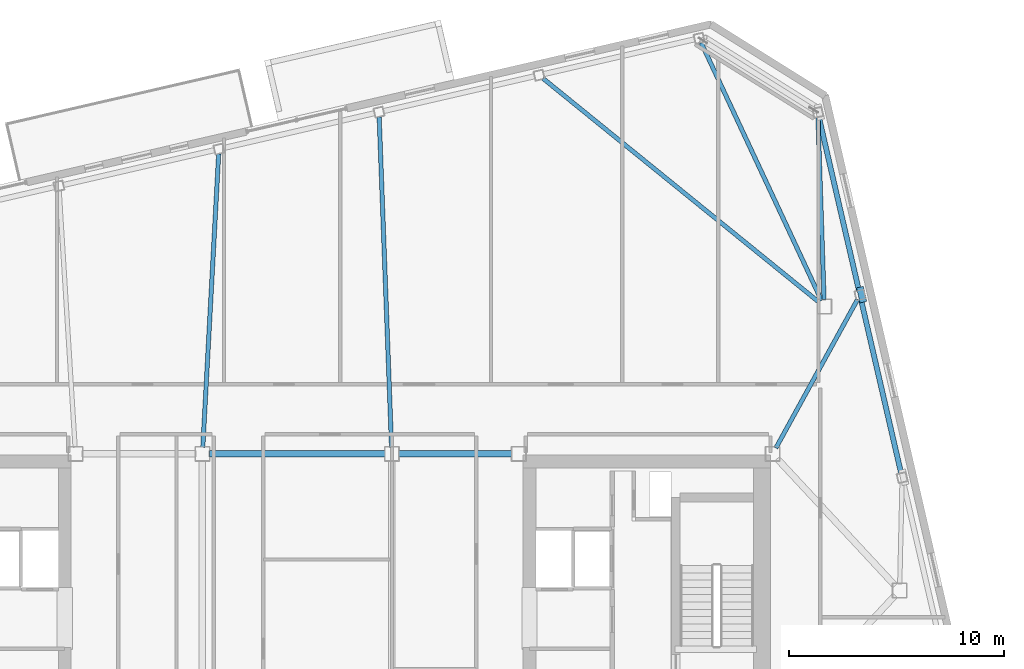
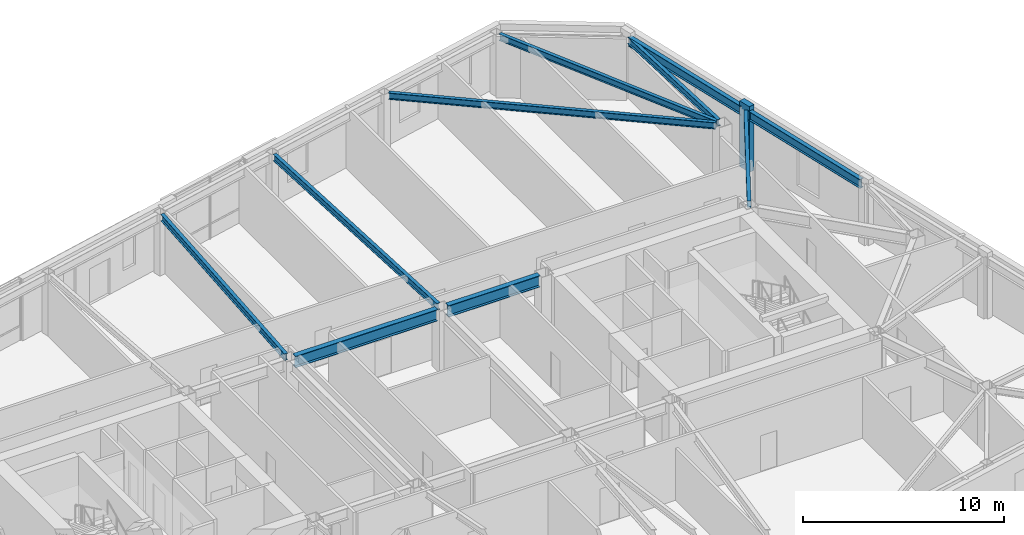
# One storey, part 13 of 24: 10 beams, 1 member.
"""IFC4 building model written with IfcOpenShell, lengths in metres."""

import ifcopenshell
import ifcopenshell.guid

model = None  # the IFC model being written
_history = None  # IfcOwnerHistory: only IFC2X3 demands one
_inside = {}  # id of a spatial element -> (the spatial element, [elements in it])
_under = {}  # id of a project, library or spatial element -> (it, [spatial elements below it])
_declared = {}  # id of a project -> (the project, [libraries it declares])
_typed = {}  # id of a type object -> (the type object, [elements of that type])
_made_of = {}  # id of a material, layer set ... -> (it, [elements and type objects made of it])


def new_model(schema):
    """Start an empty IFC model of exactly this schema.

    Asked for "IFC4X3", IfcOpenShell would pick the latest addendum, in which some entities
    have other attributes; the version numbers below select the first issue.
    IFC2X3 requires an IfcOwnerHistory on every rooted entity: one is made here for all.
    """
    global model, _history
    if schema == "IFC4X3":
        model = ifcopenshell.file(schema_version=(4, 3, 0, 0))
    else:
        model = ifcopenshell.file(schema=schema)
    _inside.clear()
    _under.clear()
    _declared.clear()
    _typed.clear()
    _made_of.clear()
    _history = None
    if model.schema == "IFC2X3":
        org = make("IfcOrganization", Name="unknown")
        user = make(
            "IfcPersonAndOrganization",
            ThePerson=make("IfcPerson", FamilyName="unknown"),
            TheOrganization=org,
        )
        app = make(
            "IfcApplication",
            ApplicationDeveloper=org,
            Version="unknown",
            ApplicationFullName="unknown",
            ApplicationIdentifier="unknown",
        )
        _history = make(
            "IfcOwnerHistory",
            OwningUser=user,
            OwningApplication=app,
            ChangeAction="ADDED",
            CreationDate=0,
        )
    return model


def make(cls, **values):
    """One entity of the class cls with the attributes given. An attribute that is None is left unset."""
    return model.create_entity(
        cls, **{name: value for name, value in values.items() if value is not None}
    )


def rooted(cls, **values):
    """An entity with a GlobalId (a new one), such as an element, a storey or a relation."""
    return make(cls, GlobalId=ifcopenshell.guid.new(), OwnerHistory=_history, **values)


def si_unit(unit_type, name, prefix=None):
    """IfcSIUnit, for example si_unit("LENGTHUNIT", "METRE", prefix="MILLI")."""
    return make("IfcSIUnit", UnitType=unit_type, Prefix=prefix, Name=name)


def assignment(units):
    """IfcUnitAssignment: the units of a project."""
    return None if units is None else make("IfcUnitAssignment", Units=units)


def point(xyz):
    """IfcCartesianPoint."""
    return None if xyz is None else make("IfcCartesianPoint", Coordinates=xyz)


def direction(xyz):
    """IfcDirection."""
    return None if xyz is None else make("IfcDirection", DirectionRatios=xyz)


def frame(location, z_axis=None, x_axis=None):
    """IfcAxis2Placement3D, a coordinate frame: its origin and axes. An axis left out is left unset."""
    return make(
        "IfcAxis2Placement3D",
        Location=point(location),
        Axis=direction(z_axis),
        RefDirection=direction(x_axis),
    )


def frame_2d(location, x_axis=None):
    """IfcAxis2Placement2D, a coordinate frame in the plane: its origin and x axis."""
    return make(
        "IfcAxis2Placement2D", Location=point(location), RefDirection=direction(x_axis)
    )


def origin():
    """The frame at (0, 0, 0) with its axes left unset."""
    return frame((0.0, 0.0, 0.0))


def origin_2d():
    """The frame at (0, 0) in the plane with its x axis left unset."""
    return frame_2d((0.0, 0.0))


def place(relative_to, where):
    """IfcLocalPlacement: puts the frame where relative to a parent placement (None: the world)."""
    return make(
        "IfcLocalPlacement", PlacementRelTo=relative_to, RelativePlacement=where
    )


def context(
    kind, dimensions, precision=None, world=None, true_north=None, identifier=None
):
    """IfcGeometricRepresentationContext, for example the 3D "Model" context."""
    return make(
        "IfcGeometricRepresentationContext",
        ContextIdentifier=identifier,
        ContextType=kind,
        CoordinateSpaceDimension=dimensions,
        Precision=precision,
        WorldCoordinateSystem=world,
        TrueNorth=true_north,
    )


def subcontext(parent, identifier, kind, view, scale=None):
    """IfcGeometricRepresentationSubContext, for example "Body" below "Model"."""
    return make(
        "IfcGeometricRepresentationSubContext",
        ContextIdentifier=identifier,
        ContextType=kind,
        ParentContext=parent,
        TargetScale=scale,
        TargetView=view,
    )


def project(units=None, contexts=None):
    """IfcProject with its units and contexts."""
    return rooted(
        "IfcProject",
        Name="project",
        RepresentationContexts=contexts,
        UnitsInContext=assignment(units),
    )


def spatial(cls, under=None, at=None, **own):
    """A site, building, storey or space (cls), placed at a placement, below another one or the project."""
    s = rooted(cls, ObjectPlacement=at, **own)
    if under is not None:
        _under.setdefault(under.id(), (under, []))[1].append(s)
    return s


def profile(cls, at=None, kind="AREA", **sizes):
    """A parametric profile (cls). Its sizes go by their IFC names, for example OverallWidth=200.0."""
    return make(cls, ProfileType=kind, Position=at, **sizes)


def rectangle(**sizes):
    """IfcRectangleProfileDef."""
    return profile("IfcRectangleProfileDef", **sizes)


def i_section(**sizes):
    """IfcIShapeProfileDef."""
    return profile("IfcIShapeProfileDef", **sizes)


def extrude(swept, where, along, depth):
    """IfcExtrudedAreaSolid: the profile swept, set in the frame where, extruded along a direction by depth."""
    return make(
        "IfcExtrudedAreaSolid",
        SweptArea=swept,
        Position=where,
        ExtrudedDirection=direction(along),
        Depth=depth,
    )


def shape(context_of_items, identifier, shape_type, items):
    """IfcShapeRepresentation: the items that make up one representation, for example the "Body"."""
    return make(
        "IfcShapeRepresentation",
        ContextOfItems=context_of_items,
        RepresentationIdentifier=identifier,
        RepresentationType=shape_type,
        Items=items,
    )


def material(Name=None, Category=None):
    """IfcMaterial."""
    return make("IfcMaterial", Name=Name, Category=Category)


def material_profile(
    of_material, cross_section, Name=None, Category=None, Priority=None
):
    """IfcMaterialProfile: a cross section and its material."""
    return make(
        "IfcMaterialProfile",
        Name=Name,
        Material=of_material,
        Profile=cross_section,
        Priority=Priority,
        Category=Category,
    )


def profile_set(profiles, Name=None, composite=None):
    """IfcMaterialProfileSet."""
    return make(
        "IfcMaterialProfileSet",
        Name=Name,
        MaterialProfiles=profiles,
        CompositeProfile=composite,
    )


def made_of(thing, what):
    """Note that an element or type object is made of a material, layer set ...; save() writes the relation."""
    if what is not None:
        _made_of.setdefault(what.id(), (what, []))[1].append(thing)
    return thing


def type_object(cls, material=None, **own):
    """A type object (cls), such as IfcWallType, which elements share."""
    return made_of(rooted(cls, **own), material)


def element(
    cls,
    number,
    at=None,
    inside=None,
    cuts=None,
    type_object=None,
    material=None,
    context=None,
    identifier="Body",
    shape_type=None,
    held_by="IfcProductDefinitionShape",
    body=None,
    shapes=None,
    **own,
):
    """One element of the class cls, such as IfcWall. Its Tag is "e" and its number.

    at: its placement. inside: the storey or other place that contains it. cuts: it is an
    opening in that element (IfcRelVoidsElement). A single representation is given by context,
    identifier, shape_type and body (its items); several are given by shapes. held_by: the class
    of the entity that holds the representations. save() writes the other relations.
    """
    e = rooted(cls, Tag="e%d" % number, ObjectPlacement=at, **own)
    if body is not None:
        shapes = [shape(context, identifier, shape_type, body)]
    if shapes is not None:
        e.Representation = make(held_by, Representations=shapes)
    if inside is not None:
        _inside.setdefault(inside.id(), (inside, []))[1].append(e)
    if cuts is not None:
        rooted(
            "IfcRelVoidsElement", RelatingBuildingElement=cuts, RelatedOpeningElement=e
        )
    if type_object is not None:
        _typed.setdefault(type_object.id(), (type_object, []))[1].append(e)
    return made_of(e, material)


def aggregate(whole, parts):
    """IfcRelAggregates: a whole, such as a stair, and the parts it consists of."""
    return rooted("IfcRelAggregates", RelatingObject=whole, RelatedObjects=parts)


def save(model, path):
    """Write the relations noted so far, then the file.

    IfcRelAggregates (storeys below a building ...), IfcRelContainedInSpatialStructure (elements
    in a storey), IfcRelDefinesByType, IfcRelAssociatesMaterial and IfcRelDeclares: one each for
    every whole, place, type object, material and project.
    """
    for whole, parts in _under.values():
        aggregate(whole, parts)
    for where, things in _inside.values():
        rooted(
            "IfcRelContainedInSpatialStructure",
            RelatedElements=things,
            RelatingStructure=where,
        )
    for kind, things in _typed.values():
        rooted("IfcRelDefinesByType", RelatedObjects=things, RelatingType=kind)
    for what, things in _made_of.values():
        rooted("IfcRelAssociatesMaterial", RelatedObjects=things, RelatingMaterial=what)
    for by, libraries in _declared.values():
        rooted("IfcRelDeclares", RelatingContext=by, RelatedDefinitions=libraries)
    model.write(path)


model = new_model("IFC4")

# Units and contexts
model_context = context("Model", 3, precision=1e-05, world=origin(), true_north=direction((0.0, 1.0)))
body_context = subcontext(model_context, "Body", "Model", "MODEL_VIEW")
ifc_project = project(units=[si_unit("LENGTHUNIT", "METRE"), si_unit("AREAUNIT", "SQUARE_METRE"), si_unit("VOLUMEUNIT", "CUBIC_METRE"), si_unit("PLANEANGLEUNIT", "RADIAN"), si_unit("MASSUNIT", "GRAM", prefix="KILO")], contexts=[model_context])

# Site, building, storey
site_placement = place(None, origin())
site = spatial("IfcSite", under=ifc_project, at=site_placement, CompositionType="ELEMENT")
building_placement = place(site_placement, origin())
building = spatial("IfcBuilding", under=site, at=building_placement, Name="Tavrogorsk Clinical Tower", CompositionType="ELEMENT")
storey_placement = place(building_placement, frame((0.0, 0.0, 321.0)))
storey = spatial("IfcBuildingStorey", under=building, at=storey_placement, Name="L75", CompositionType="ELEMENT", Elevation=321.0)

# Beams
ifc_material_1 = material(Name="Structural steel S355", Category="steel")
ifc_material_profile_1 = material_profile(ifc_material_1, i_section(OverallWidth=0.199951171875, OverallDepth=0.39990234375, WebThickness=0.010498046875, FlangeThickness=0.01611328125, at=origin_2d()), Name="B-400x200x10.5x16")
ifc_profile_set_1 = profile_set([ifc_material_profile_1], Name="Structural steel S355")
beam_type_1 = type_object("IfcBeamType", Name="FloorBeam_B400", PredefinedType="BEAM", material=ifc_profile_set_1)
beam_1_placement = place(storey_placement, frame((24.368896484375, 13.48095703125, 3.5400390625), z_axis=(-0.422928957087, 0.906162842571, 0.0), x_axis=(-0.906162842571, -0.422928957087, 0.0)))
element("IfcBeam", 1, at=beam_1_placement, inside=storey, type_object=beam_type_1, Name="L75 Radial Floor Beam N1", PredefinedType="BEAM", context=body_context, shape_type="SweptSolid", body=[
    extrude(i_section(OverallWidth=0.199951171875, OverallDepth=0.39990234375, WebThickness=0.010498046875, FlangeThickness=0.01611328125, at=origin_2d()), origin(), (0.0, 0.0, 1.0), 13.214111328125),
])
beam_2_placement = place(storey_placement, frame((24.25927734375, 13.395263671875, 3.5400390625), z_axis=(-0.77675399059, 0.629804126774, 0.0), x_axis=(-0.629804126774, -0.77675399059, 0.0)))
element("IfcBeam", 2, at=beam_2_placement, inside=storey, type_object=beam_type_1, Name="L75 Radial Floor Beam N2", PredefinedType="BEAM", context=body_context, shape_type="SweptSolid", body=[
    extrude(i_section(OverallWidth=0.199951171875, OverallDepth=0.39990234375, WebThickness=0.010498046875, FlangeThickness=0.01611328125, at=origin_2d()), origin(), (0.0, 0.0, 1.0), 16.524169921875),
])
beam_3_placement = place(storey_placement, frame((4.388427734375, 6.65966796875, 3.5400390625), z_axis=(-0.037472270853, 0.999297667823, 0.0), x_axis=(-0.999297667823, -0.037472270853, 0.0)))
element("IfcBeam", 3, at=beam_3_placement, inside=storey, type_object=beam_type_1, Name="L75 Radial Floor Beam N3", PredefinedType="BEAM", context=body_context, shape_type="SweptSolid", body=[
    extrude(i_section(OverallWidth=0.199951171875, OverallDepth=0.39990234375, WebThickness=0.010498046875, FlangeThickness=0.01611328125, at=origin_2d()), origin(), (0.0, 0.0, 1.0), 15.349853515625),
])
beam_4_placement = place(storey_placement, frame((-4.38330078125, 6.65966796875, 3.5400390625), z_axis=(0.053993102157, 0.998541308569, 0.0), x_axis=(-0.998541308569, 0.053993102157, 0.0)))
element("IfcBeam", 4, at=beam_4_placement, inside=storey, type_object=beam_type_1, Name="L75 Radial Floor Beam N4", PredefinedType="BEAM", context=body_context, shape_type="SweptSolid", body=[
    extrude(i_section(OverallWidth=0.199951171875, OverallDepth=0.39990234375, WebThickness=0.010498046875, FlangeThickness=0.01611328125, at=origin_2d()), origin(), (0.0, 0.0, 1.0), 13.64208984375),
])
beam_5_placement = place(storey_placement, frame((22.249267578125, 6.62158203125, 3.5400390625), z_axis=(0.481705874182, 0.876332956574, 0.0), x_axis=(-0.876332956574, 0.481705874182, 0.0)))
element("IfcBeam", 5, at=beam_5_placement, inside=storey, type_object=beam_type_1, Name="L75 Radial Floor Beam E4", PredefinedType="BEAM", context=body_context, shape_type="SweptSolid", body=[
    extrude(i_section(OverallWidth=0.199951171875, OverallDepth=0.39990234375, WebThickness=0.010498046875, FlangeThickness=0.01611328125, at=origin_2d()), origin(), (0.0, 0.0, 1.0), 7.881103515625),
])
beam_6_placement = place(storey_placement, frame((24.48974609375, 13.509765625, 3.5400390625), z_axis=(-0.033421222185, 0.999441354912, 0.0), x_axis=(-0.999441354912, -0.033421222185, 0.0)))
element("IfcBeam", 6, at=beam_6_placement, inside=storey, type_object=beam_type_1, Name="L75 Radial Floor Beam E5", PredefinedType="BEAM", context=body_context, shape_type="SweptSolid", body=[
    extrude(i_section(OverallWidth=0.199951171875, OverallDepth=0.39990234375, WebThickness=0.010498046875, FlangeThickness=0.01611328125, at=origin_2d()), origin(), (0.0, 0.0, 1.0), 8.48095703125),
])

# Member
ifc_material_2 = material(Name="Precast concrete B45 with limestone cladding", Category="masonry")
ifc_material_profile_2 = material_profile(ifc_material_2, rectangle(XDim=0.320068359375, YDim=0.719970703125, at=origin_2d()), Name="LIMESTONE-FIN-320x720")
ifc_profile_set_2 = profile_set([ifc_material_profile_2], Name="Precast concrete B45 with limestone cladding")
member_type = type_object("IfcMemberType", Name="LimestonePleatFin_320x720", PredefinedType="USERDEFINED", material=ifc_profile_set_2)
member_placement = place(storey_placement, frame((26.23583984375, 13.750244140625, 0.0), z_axis=(0.0, 0.0, 1.0), x_axis=(0.974370064785, 0.224951054344, 0.0)))
element("IfcMember", 7, at=member_placement, inside=storey, type_object=member_type, Name="L75 E Pleated Stone Fin 3", ObjectType="FIN", PredefinedType="USERDEFINED", context=body_context, shape_type="SweptSolid", body=[
    extrude(rectangle(XDim=0.320068359375, YDim=0.719970703125, at=origin_2d()), origin(), (0.0, 0.0, 1.0), 4.0),
])

# Beams
ifc_material_3 = material(Name="Structural steel S390", Category="steel")
ifc_material_profile_3 = material_profile(ifc_material_3, i_section(OverallWidth=0.300048828125, OverallDepth=0.699951171875, WebThickness=0.01708984375, FlangeThickness=0.028076171875, at=origin_2d()), Name="B-700x300x17x28")
ifc_profile_set_3 = profile_set([ifc_material_profile_3], Name="Structural steel S390")
beam_type_2 = type_object("IfcBeamType", Name="PrimaryGirder_B700", PredefinedType="USERDEFINED", material=ifc_profile_set_3)
beam_7_placement = place(storey_placement, frame((-4.090087890625, 6.35009765625, 3.389892578125), z_axis=(1.0, 0.0, 0.0), x_axis=(0.0, 1.0, 0.0)))
element("IfcBeam", 8, at=beam_7_placement, inside=storey, type_object=beam_type_2, Name="L75 Primary Spine Girder MG-04", ObjectType="GIRDER", PredefinedType="USERDEFINED", context=body_context, shape_type="SweptSolid", body=[
    extrude(i_section(OverallWidth=0.300048828125, OverallDepth=0.699951171875, WebThickness=0.01708984375, FlangeThickness=0.028076171875, at=origin_2d()), origin(), (0.0, 0.0, 1.0), 8.18017578125),
])
beam_8_placement = place(storey_placement, frame((4.7099609375, 6.35009765625, 3.389892578125), z_axis=(1.0, 0.0, 0.0), x_axis=(0.0, 1.0, 0.0)))
element("IfcBeam", 9, at=beam_8_placement, inside=storey, type_object=beam_type_2, Name="L75 Primary Spine Girder MG-06", ObjectType="GIRDER", PredefinedType="USERDEFINED", context=body_context, shape_type="SweptSolid", body=[
    extrude(i_section(OverallWidth=0.300048828125, OverallDepth=0.699951171875, WebThickness=0.01708984375, FlangeThickness=0.028076171875, at=origin_2d()), origin(), (0.0, 0.0, 1.0), 5.280029296875),
])
ifc_material_4 = material(Name="Structural steel S390", Category="steel")
ifc_material_profile_4 = material_profile(ifc_material_4, i_section(OverallWidth=0.239990234375, OverallDepth=0.550048828125, WebThickness=0.013916015625, FlangeThickness=0.02197265625, at=origin_2d()), Name="B-550x240x14x22")
ifc_profile_set_4 = profile_set([ifc_material_profile_4], Name="Structural steel S390")
beam_type_3 = type_object("IfcBeamType", Name="SpandrelBeam_B550", PredefinedType="SPANDREL", material=ifc_profile_set_4)
beam_9_placement = place(storey_placement, frame((28.06494140625, 5.472412109375, 3.465087890625), z_axis=(-0.224978460613, 0.974363737144, 0.0), x_axis=(-0.974363737144, -0.224978460613, 0.0)))
element("IfcBeam", 10, at=beam_9_placement, inside=storey, type_object=beam_type_3, Name="L75 Perimeter Spandrel E3-E4", PredefinedType="SPANDREL", context=body_context, shape_type="SweptSolid", body=[
    extrude(i_section(OverallWidth=0.239990234375, OverallDepth=0.550048828125, WebThickness=0.013916015625, FlangeThickness=0.02197265625, at=origin_2d()), origin(), (0.0, 0.0, 1.0), 8.244140625),
])
beam_10_placement = place(storey_placement, frame((26.10546875, 13.959228515625, 3.465087890625), z_axis=(-0.224950345141, 0.974370228517, 0.0), x_axis=(-0.974370228517, -0.224950345141, 0.0)))
element("IfcBeam", 11, at=beam_10_placement, inside=storey, type_object=beam_type_3, Name="L75 Perimeter Spandrel E4-E5", PredefinedType="SPANDREL", context=body_context, shape_type="SweptSolid", body=[
    extrude(i_section(OverallWidth=0.239990234375, OverallDepth=0.550048828125, WebThickness=0.013916015625, FlangeThickness=0.02197265625, at=origin_2d()), origin(), (0.0, 0.0, 1.0), 8.243896484375),
])

save(model, "model.ifc")
